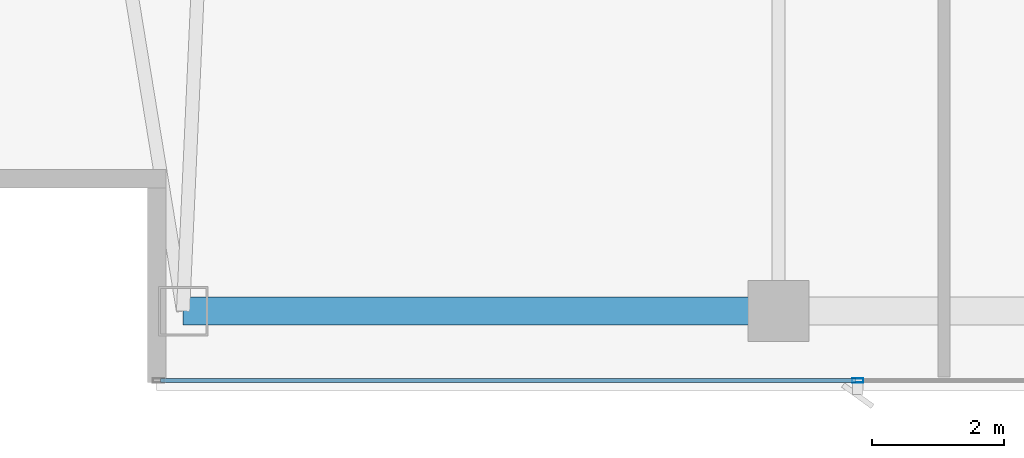
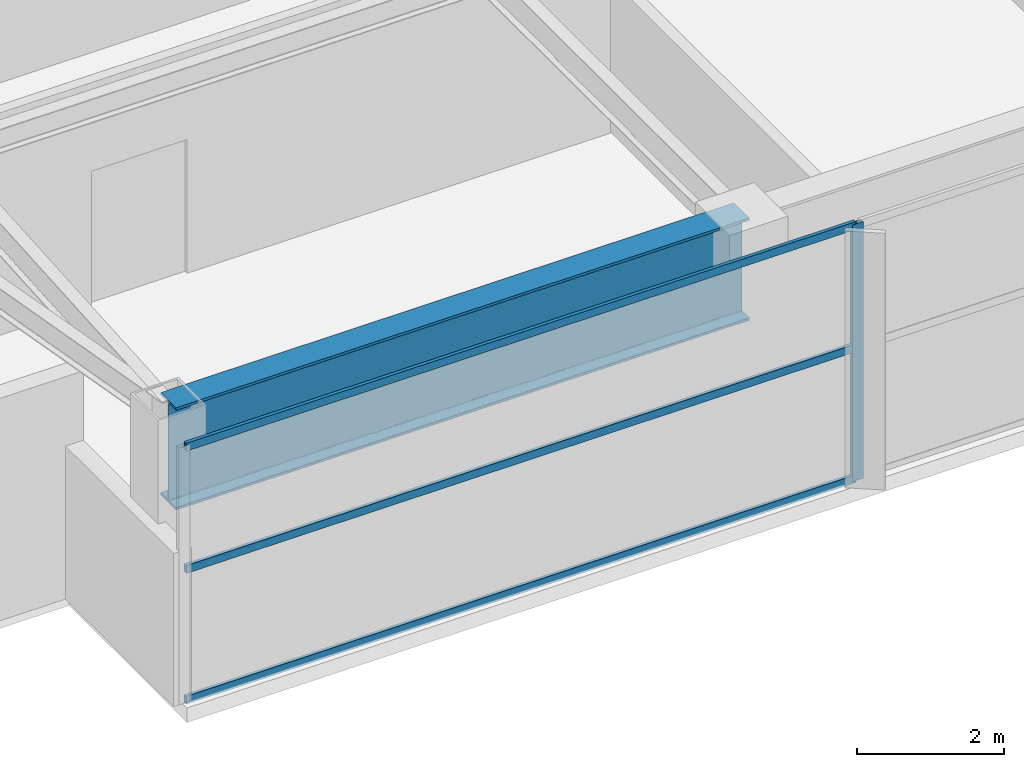
# One storey, part 3 of 25: 4 members, 1 beam, 1 element without a shape of its own.
"""IFC4 building model written with IfcOpenShell, lengths in metres."""

from ifc_helpers import new_model, si_unit, direction, frame, origin, origin_2d, place, context, subcontext, project, spatial, hollow_rectangle, i_section, extrude, material, layer, layer_set, material_profile, profile_set, type_object, element, aggregate, save


model = new_model("IFC4")

# Units and contexts
model_context = context("Model", 3, precision=1e-05, world=origin(), true_north=direction((0.0, 1.0)))
body_context = subcontext(model_context, "Body", "Model", "MODEL_VIEW")
ifc_project = project(units=[si_unit("LENGTHUNIT", "METRE"), si_unit("AREAUNIT", "SQUARE_METRE"), si_unit("VOLUMEUNIT", "CUBIC_METRE"), si_unit("PLANEANGLEUNIT", "RADIAN"), si_unit("MASSUNIT", "GRAM", prefix="KILO")], contexts=[model_context])

# Site, building, storey
site_placement = place(None, origin())
site = spatial("IfcSite", under=ifc_project, at=site_placement, CompositionType="ELEMENT")
building_placement = place(site_placement, origin())
building = spatial("IfcBuilding", under=site, at=building_placement, Name="Calvorn Quay Hotel", CompositionType="ELEMENT")
storey_placement = place(building_placement, frame((0.0, 0.0, 316.0)))
storey = spatial("IfcBuildingStorey", under=building, at=storey_placement, Name="L78", CompositionType="ELEMENT", Elevation=316.0)

# Beam
ifc_material_1 = material(Name="Steel Q420GJC", Category="steel")
ifc_material_profile_1 = material_profile(ifc_material_1, i_section(OverallWidth=0.419921875, OverallDepth=1.699951171875, WebThickness=0.02392578125, FlangeThickness=0.0419921875, FilletRadius=0.02392578125, at=origin_2d()), Name="HN1700x420x24x42")
ifc_profile_set_1 = profile_set([ifc_material_profile_1], Name="Steel Q420GJC")
beam_type = type_object("IfcBeamType", Name="BM-XFER-SAWTOOTH", PredefinedType="BEAM", material=ifc_profile_set_1)
beam_placement = place(storey_placement, frame((3.60009765625, 3.60009765625, 3.389892578125), z_axis=(1.0, 0.0, 0.0), x_axis=(0.0, 1.0, 0.0)))
element("IfcBeam", 1, at=beam_placement, inside=storey, type_object=beam_type, Name="Beam BSP-L78-S1", PredefinedType="BEAM", context=body_context, shape_type="SweptSolid", body=[
    extrude(i_section(OverallWidth=0.419921875, OverallDepth=1.699951171875, WebThickness=0.02392578125, FlangeThickness=0.0419921875, FilletRadius=0.02392578125, at=origin_2d()), origin(), (0.0, 0.0, 1.0), 9.0),
])

# Curtain wall, members
ifc_material_2 = material(Name="Champagne Bronze Anodised Aluminium and Low-E Glass", Category="aluminium")
ifc_layer = layer(ifc_material_2, 0.219970703125)
ifc_layer_set = layer_set([ifc_layer], Name="CW-SYS-Z4")
curtain_wall_type = type_object("IfcCurtainWallType", Name="CW-SYS-Z4", PredefinedType="NOTDEFINED", material=ifc_layer_set)
curtain_wall_placement = place(storey_placement, origin())
curtain_wall = element("IfcCurtainWall", 2, at=curtain_wall_placement, inside=storey, type_object=curtain_wall_type, Name="Tower South Waterfront Curtain Wall (L78)", PredefinedType="NOTDEFINED")
ifc_material_3 = material(Name="Champagne Bronze Anodised Aluminium 6063-T6", Category="aluminium")
ifc_material_profile_2 = material_profile(ifc_material_3, hollow_rectangle(XDim=0.06494140625, YDim=0.169921875, WallThickness=0.00341796875, at=origin_2d()), Name="ALU-M170x65x3.5")
ifc_profile_set_2 = profile_set([ifc_material_profile_2], Name="Champagne Bronze Anodised Aluminium 6063-T6")
member_type_1 = type_object("IfcMemberType", Name="CW-SYS-Z4-MUL", PredefinedType="MULLION", material=ifc_profile_set_2)
member_1_placement = place(storey_placement, frame((13.800048828125, 2.550048828125, 0.0), z_axis=(0.0, 0.0, 1.0), x_axis=(0.0, 1.0, 0.0)))
member_1 = element("IfcMember", 3, at=member_1_placement, type_object=member_type_1, Name="CW-L78-S mullion 2", PredefinedType="MULLION", context=body_context, shape_type="SweptSolid", body=[
    extrude(hollow_rectangle(XDim=0.06494140625, YDim=0.169921875, WallThickness=0.00341796875, at=origin_2d()), origin(), (0.0, 0.0, 1.0), 4.260009765625),
])
ifc_material_4 = material(Name="Champagne Bronze Anodised Aluminium 6063-T6", Category="aluminium")
ifc_material_profile_3 = material_profile(ifc_material_4, hollow_rectangle(XDim=0.054931640625, YDim=0.1298828125, WallThickness=0.003173828125, at=origin_2d()), Name="ALU-T130x55x3.2")
ifc_profile_set_3 = profile_set([ifc_material_profile_3], Name="Champagne Bronze Anodised Aluminium 6063-T6")
member_type_2 = type_object("IfcMemberType", Name="CW-SYS-Z4-TRN", PredefinedType="USERDEFINED", material=ifc_profile_set_3)
member_2_placement = place(storey_placement, frame((3.260009765625, 2.550048828125, 0.030029296875), z_axis=(1.0, 0.0, 0.0), x_axis=(0.0, 1.0, 0.0)))
member_2 = element("IfcMember", 4, at=member_2_placement, type_object=member_type_2, Name="CW-L78-S transom 1.1", ObjectType="TRANSOM", PredefinedType="USERDEFINED", context=body_context, shape_type="SweptSolid", body=[
    extrude(hollow_rectangle(XDim=0.054931640625, YDim=0.1298828125, WallThickness=0.003173828125, at=origin_2d()), origin(), (0.0, 0.0, 1.0), 10.510009765625),
])
member_3_placement = place(storey_placement, frame((3.260009765625, 2.550048828125, 2.199951171875), z_axis=(1.0, 0.0, 0.0), x_axis=(0.0, 1.0, 0.0)))
member_3 = element("IfcMember", 5, at=member_3_placement, type_object=member_type_2, Name="CW-L78-S transom 1.2", ObjectType="TRANSOM", PredefinedType="USERDEFINED", context=body_context, shape_type="SweptSolid", body=[
    extrude(hollow_rectangle(XDim=0.054931640625, YDim=0.1298828125, WallThickness=0.003173828125, at=origin_2d()), origin(), (0.0, 0.0, 1.0), 10.510009765625),
])
member_4_placement = place(storey_placement, frame((3.260009765625, 2.550048828125, 4.22998046875), z_axis=(1.0, 0.0, 0.0), x_axis=(0.0, 1.0, 0.0)))
member_4 = element("IfcMember", 6, at=member_4_placement, type_object=member_type_2, Name="CW-L78-S transom 1.3", ObjectType="TRANSOM", PredefinedType="USERDEFINED", context=body_context, shape_type="SweptSolid", body=[
    extrude(hollow_rectangle(XDim=0.054931640625, YDim=0.1298828125, WallThickness=0.003173828125, at=origin_2d()), origin(), (0.0, 0.0, 1.0), 10.510009765625),
])
aggregate(curtain_wall, [member_1, member_2, member_3, member_4])

save(model, "model.ifc")
